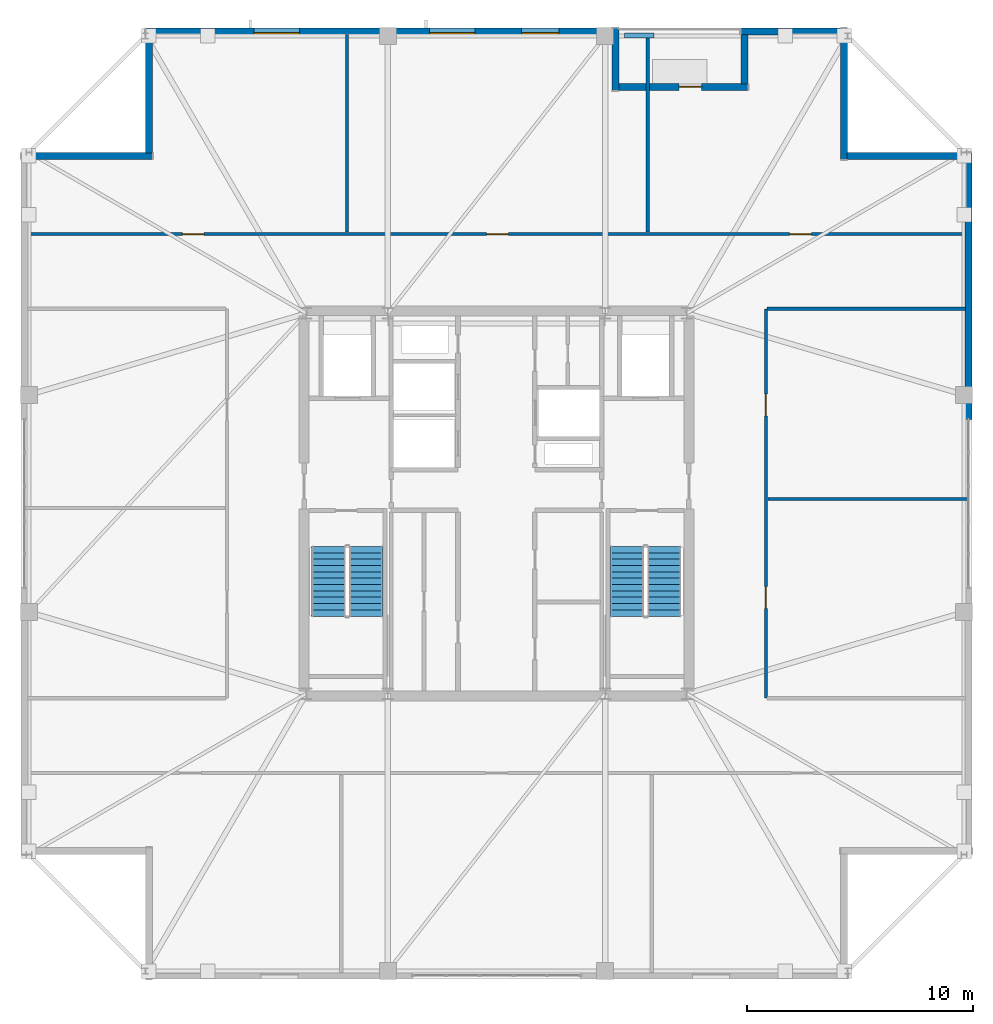
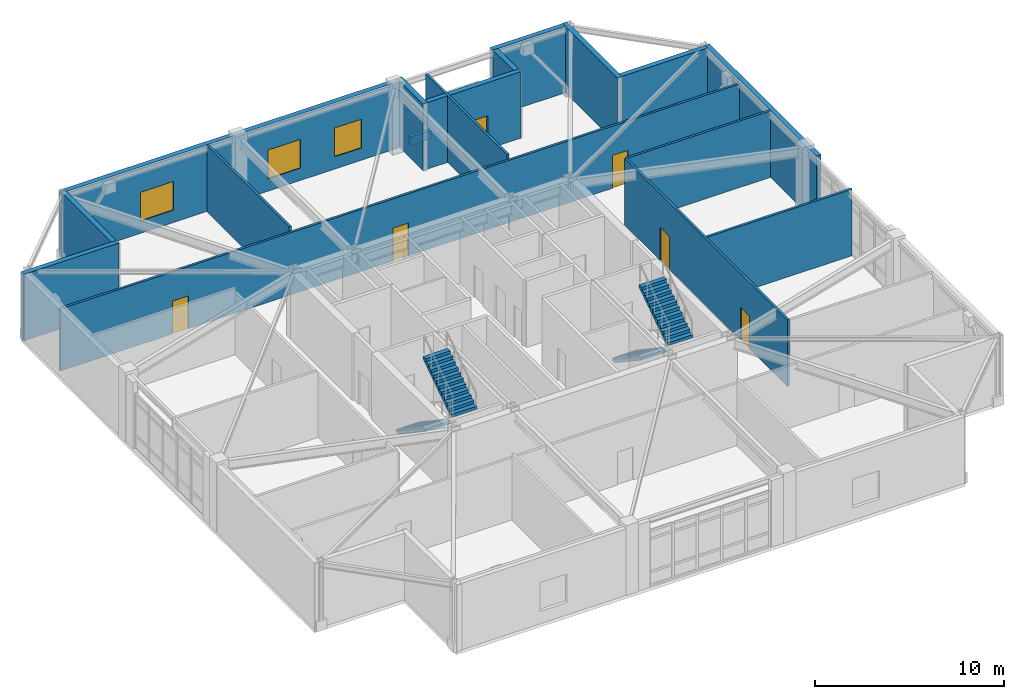
# One storey, part 13 of 16: 17 walls, 6 doors, 4 stair flights, 3 windows, 9 openings, 2 elements without a shape of their own.
"""IFC4 building model written with IfcOpenShell, lengths in metres."""

from ifc_helpers import new_model, si_unit, direction, frame, frame_2d, origin, place, context, subcontext, project, spatial, polyline, rectangle, outline, extrude, material, layer, layer_set, type_object, element, fill, aggregate, save


model = new_model("IFC4")

# Units and contexts
model_context = context("Model", 3, precision=1e-05, world=origin(), true_north=direction((0.0, 1.0)))
body_context = subcontext(model_context, "Body", "Model", "MODEL_VIEW")
ifc_project = project(units=[si_unit("LENGTHUNIT", "METRE"), si_unit("AREAUNIT", "SQUARE_METRE"), si_unit("VOLUMEUNIT", "CUBIC_METRE"), si_unit("PLANEANGLEUNIT", "RADIAN"), si_unit("MASSUNIT", "GRAM", prefix="KILO")], contexts=[model_context])

# Site, building, storey
site_placement = place(None, origin())
site = spatial("IfcSite", under=ifc_project, at=site_placement, CompositionType="ELEMENT")
building_placement = place(site_placement, origin())
building = spatial("IfcBuilding", under=site, at=building_placement, Name="Cairnveth Concourse Tower", CompositionType="ELEMENT")
storey_placement = place(building_placement, frame((0.0, 0.0, 315.5)))
storey = spatial("IfcBuildingStorey", under=building, at=storey_placement, Name="L87", CompositionType="ELEMENT", Elevation=315.5)

# Wall, openings, doors
ifc_material_1 = material(Name="Gypsum Plasterboard Partition", Category="gypsum")
ifc_layer_1 = layer(ifc_material_1, 0.139892578125)
ifc_layer_set_1 = layer_set([ifc_layer_1], Name="Gypsum Plasterboard Partition")
wall_type_1 = type_object("IfcWallType", Name="GYPSUM STUD PARTITION 140", PredefinedType="PARTITIONING", material=ifc_layer_set_1)
wall_1_placement = place(storey_placement, frame((31.284912109375, 50.89990234375, 0.0), z_axis=(0.0, 0.0, 1.0), x_axis=(1.0, 0.0, 0.0)))
wall_1 = element("IfcWall", 1, at=wall_1_placement, inside=storey, type_object=wall_type_1, Name="Interior Wall IW-L87-037", PredefinedType="PARTITIONING", context=body_context, shape_type="SweptSolid", body=[
    extrude(rectangle(XDim=41.43017578125, YDim=0.139892578125, at=frame_2d((20.715087890625, 0.0))), origin(), (0.0, 0.0, 1.0), 4.009033203125),
])
opening_1_placement = place(wall_1_placement, frame((6.844970703125, 0.0, 0.0)))
opening_1 = element("IfcOpeningElement", 2, at=opening_1_placement, cuts=wall_1, Name="Opening ID11", PredefinedType="OPENING", context=body_context, shape_type="SweptSolid", body=[
    extrude(rectangle(XDim=0.9599609375, YDim=2.1201171875, at=frame_2d((0.47998046875, 1.06005859375))), frame((0.0, 0.079833984375, 0.0), z_axis=(0.0, -1.0, 0.0), x_axis=(1.0, 0.0, 0.0)), (0.0, 0.0, 1.0), 0.159912109375),
])
opening_2_placement = place(wall_1_placement, frame((20.27490234375, 0.0, 0.0)))
opening_2 = element("IfcOpeningElement", 3, at=opening_2_placement, cuts=wall_1, Name="Opening ID11", PredefinedType="OPENING", context=body_context, shape_type="SweptSolid", body=[
    extrude(rectangle(XDim=0.9599609375, YDim=2.1201171875, at=frame_2d((0.47998046875, 1.06005859375))), frame((0.0, 0.079833984375, 0.0), z_axis=(0.0, -1.0, 0.0), x_axis=(1.0, 0.0, 0.0)), (0.0, 0.0, 1.0), 0.159912109375),
])
opening_3_placement = place(wall_1_placement, frame((33.6650390625, 0.0, 0.0)))
opening_3 = element("IfcOpeningElement", 4, at=opening_3_placement, cuts=wall_1, Name="Opening ID11", PredefinedType="OPENING", context=body_context, shape_type="SweptSolid", body=[
    extrude(rectangle(XDim=0.9599609375, YDim=2.1201171875, at=frame_2d((0.47998046875, 1.06005859375))), frame((0.0, 0.079833984375, 0.0), z_axis=(0.0, -1.0, 0.0), x_axis=(1.0, 0.0, 0.0)), (0.0, 0.0, 1.0), 0.159912109375),
])
ifc_material_2 = material(Name="Solid Core Hardwood Timber Leaf", Category="wood")
door_type_1 = type_object("IfcDoorType", Name="INTERIOR SINGLE DOOR 960X2150", OperationType="NOTDEFINED", PredefinedType="DOOR", material=ifc_material_2)
door_1_placement = place(opening_1_placement, origin())
door_1 = element("IfcDoor", 5, at=door_1_placement, inside=storey, type_object=door_type_1, Name="Office Door L87-N1", OperationType="SINGLE_SWING_LEFT", OverallHeight=2.1201171875, OverallWidth=0.9599609375, PredefinedType="DOOR", context=body_context, shape_type="SweptSolid", body=[
    extrude(rectangle(XDim=0.9599609375, YDim=2.1201171875, at=frame_2d((0.47998046875, 1.06005859375))), frame((0.0, 0.02490234375, 0.0), z_axis=(0.0, -1.0, 0.0), x_axis=(1.0, 0.0, 0.0)), (0.0, 0.0, 1.0), 0.050048828125),
])
fill(opening_1, door_1)
door_2_placement = place(opening_2_placement, origin())
door_2 = element("IfcDoor", 6, at=door_2_placement, inside=storey, type_object=door_type_1, Name="Office Door L87-N2", OperationType="SINGLE_SWING_RIGHT", OverallHeight=2.1201171875, OverallWidth=0.9599609375, PredefinedType="DOOR", context=body_context, shape_type="SweptSolid", body=[
    extrude(rectangle(XDim=0.9599609375, YDim=2.1201171875, at=frame_2d((0.47998046875, 1.06005859375))), frame((0.0, 0.02490234375, 0.0), z_axis=(0.0, -1.0, 0.0), x_axis=(1.0, 0.0, 0.0)), (0.0, 0.0, 1.0), 0.050048828125),
])
fill(opening_2, door_2)
door_3_placement = place(opening_3_placement, origin())
door_3 = element("IfcDoor", 7, at=door_3_placement, inside=storey, type_object=door_type_1, Name="Office Door L87-N3", OperationType="SINGLE_SWING_LEFT", OverallHeight=2.1201171875, OverallWidth=0.9599609375, PredefinedType="DOOR", context=body_context, shape_type="SweptSolid", body=[
    extrude(rectangle(XDim=0.9599609375, YDim=2.1201171875, at=frame_2d((0.47998046875, 1.06005859375))), frame((0.0, 0.02490234375, 0.0), z_axis=(0.0, -1.0, 0.0), x_axis=(1.0, 0.0, 0.0)), (0.0, 0.0, 1.0), 0.050048828125),
])
fill(opening_3, door_3)

wall_2_placement = place(storey_placement, frame((63.89990234375, 30.39990234375, 0.0), z_axis=(0.0, 0.0, 1.0), x_axis=(0.0, 1.0, 0.0)))
wall_2 = element("IfcWall", 8, at=wall_2_placement, inside=storey, type_object=wall_type_1, Name="Interior Wall IW-L87-039", PredefinedType="PARTITIONING", context=body_context, shape_type="SweptSolid", body=[
    extrude(rectangle(XDim=17.2001953125, YDim=0.139892578125, at=frame_2d((8.60009765625, 0.0))), origin(), (0.0, 0.0, 1.0), 4.2900390625),
])
opening_4_placement = place(wall_2_placement, frame((3.967529296875, 0.0, 0.0)))
opening_4 = element("IfcOpeningElement", 9, at=opening_4_placement, cuts=wall_2, Name="Opening ID11", PredefinedType="OPENING", context=body_context, shape_type="SweptSolid", body=[
    extrude(rectangle(XDim=0.9599609375, YDim=2.1201171875, at=frame_2d((0.47998046875, 1.06005859375))), frame((0.0, 0.079833984375, 0.0), z_axis=(0.0, -1.0, 0.0), x_axis=(1.0, 0.0, 0.0)), (0.0, 0.0, 1.0), 0.159912109375),
])
opening_5_placement = place(wall_2_placement, frame((12.467529296875, 0.0, 0.0)))
opening_5 = element("IfcOpeningElement", 10, at=opening_5_placement, cuts=wall_2, Name="Opening ID11", PredefinedType="OPENING", context=body_context, shape_type="SweptSolid", body=[
    extrude(rectangle(XDim=0.9599609375, YDim=2.1201171875, at=frame_2d((0.47998046875, 1.06005859375))), frame((0.0, 0.079833984375, 0.0), z_axis=(0.0, -1.0, 0.0), x_axis=(1.0, 0.0, 0.0)), (0.0, 0.0, 1.0), 0.159912109375),
])
door_4_placement = place(opening_4_placement, origin())
door_4 = element("IfcDoor", 11, at=door_4_placement, inside=storey, type_object=door_type_1, Name="Office Door L87-E1", OperationType="SINGLE_SWING_RIGHT", OverallHeight=2.1201171875, OverallWidth=0.9599609375, PredefinedType="DOOR", context=body_context, shape_type="SweptSolid", body=[
    extrude(rectangle(XDim=0.9599609375, YDim=2.1201171875, at=frame_2d((0.47998046875, 1.06005859375))), frame((0.0, 0.02490234375, 0.0), z_axis=(0.0, -1.0, 0.0), x_axis=(1.0, 0.0, 0.0)), (0.0, 0.0, 1.0), 0.050048828125),
])
fill(opening_4, door_4)
door_5_placement = place(opening_5_placement, origin())
door_5 = element("IfcDoor", 12, at=door_5_placement, inside=storey, type_object=door_type_1, Name="Office Door L87-E2", OperationType="SINGLE_SWING_LEFT", OverallHeight=2.1201171875, OverallWidth=0.9599609375, PredefinedType="DOOR", context=body_context, shape_type="SweptSolid", body=[
    extrude(rectangle(XDim=0.9599609375, YDim=2.1201171875, at=frame_2d((0.47998046875, 1.06005859375))), frame((0.0, 0.02490234375, 0.0), z_axis=(0.0, -1.0, 0.0), x_axis=(1.0, 0.0, 0.0)), (0.0, 0.0, 1.0), 0.050048828125),
])
fill(opening_5, door_5)

# Walls
wall_3_placement = place(storey_placement, frame((63.955078125, 47.60009765625, 0.0), z_axis=(0.0, 0.0, 1.0), x_axis=(1.0, 0.0, 0.0)))
element("IfcWall", 13, at=wall_3_placement, inside=storey, type_object=wall_type_1, Name="Interior Wall IW-L87-043", PredefinedType="PARTITIONING", context=body_context, shape_type="SweptSolid", body=[
    extrude(rectangle(XDim=8.760009765625, YDim=0.139892578125, at=frame_2d((4.3798828125, 0.0))), origin(), (0.0, 0.0, 1.0), 4.2900390625),
])
wall_4_placement = place(storey_placement, frame((45.39990234375, 51.0, 0.0), z_axis=(0.0, 0.0, 1.0), x_axis=(0.0, 1.0, 0.0)))
element("IfcWall", 14, at=wall_4_placement, inside=storey, type_object=wall_type_1, Name="Interior Wall IW-L87-046", PredefinedType="PARTITIONING", context=body_context, shape_type="SweptSolid", body=[
    extrude(rectangle(XDim=8.715087890625, YDim=0.139892578125, at=frame_2d((4.357421875, 0.0))), origin(), (0.0, 0.0, 1.0), 4.2900390625),
])
wall_5_placement = place(storey_placement, frame((58.679931640625, 51.0, 0.0), z_axis=(0.0, 0.0, 1.0), x_axis=(0.0, 1.0, 0.0)))
element("IfcWall", 15, at=wall_5_placement, inside=storey, type_object=wall_type_1, Name="Interior Wall IW-L87-047", PredefinedType="PARTITIONING", context=body_context, shape_type="SweptSolid", body=[
    extrude(rectangle(XDim=8.5849609375, YDim=0.139892578125, at=frame_2d((4.29248046875, 0.0))), origin(), (0.0, 0.0, 1.0), 4.2900390625),
])
wall_6_placement = place(storey_placement, frame((64.0, 39.195068359375, 0.0), z_axis=(0.0, 0.0, 1.0), x_axis=(1.0, 0.0, 0.0)))
element("IfcWall", 16, at=wall_6_placement, inside=storey, type_object=wall_type_1, Name="Interior Wall IW-L87-049", PredefinedType="PARTITIONING", context=body_context, shape_type="SweptSolid", body=[
    extrude(rectangle(XDim=8.830078125, YDim=0.139892578125, at=frame_2d((4.4150390625, 0.0))), origin(), (0.0, 0.0, 1.0), 4.2900390625),
])
ifc_material_3 = material(Name="Dressed Melbourne Bluestone Cladding", Category="masonry")
ifc_layer_2 = layer(ifc_material_3, 0.219970703125)
ifc_layer_set_2 = layer_set([ifc_layer_2], Name="Dressed Melbourne Bluestone Cladding")
wall_type_2 = type_object("IfcWallType", Name="TERRACE PLANTER CURB WALL 220", PredefinedType="PARAPET", material=ifc_layer_set_2)
wall_7_placement = place(storey_placement, frame((57.64990234375, 59.679931640625, 0.0), z_axis=(0.0, 0.0, 1.0), x_axis=(1.0, 0.0, 0.0)))
element("IfcWall", 17, at=wall_7_placement, inside=storey, type_object=wall_type_2, Name="Exterior Wall PLNT-L87-TERR", PredefinedType="PARAPET", context=body_context, shape_type="SweptSolid", body=[
    extrude(rectangle(XDim=1.300048828125, YDim=0.219970703125, at=frame_2d((0.64990234375, 0.0))), origin(), (0.0, 0.0, 1.0), 0.550048828125),
])
ifc_material_4 = material(Name="Hawthorn Red-Ochre Fired Clay Brick Masonry", Category="masonry")
ifc_layer_3 = layer(ifc_material_4, 0.300048828125)
ifc_layer_set_3 = layer_set([ifc_layer_3], Name="Hawthorn Red-Ochre Fired Clay Brick Masonry")
wall_type_3 = type_object("IfcWallType", Name="ZONE 4 BRICK PIER SPANDREL WALL 300", PredefinedType="SOLIDWALL", material=ifc_layer_set_3)
wall_8_placement = place(storey_placement, frame((62.800048828125, 59.85009765625, 0.0), z_axis=(0.0, 0.0, 1.0), x_axis=(1.0, 0.0, 0.0)))
element("IfcWall", 18, at=wall_8_placement, inside=storey, type_object=wall_type_3, Name="Exterior Wall EW-L87-S00", PredefinedType="SOLIDWALL", context=body_context, shape_type="SweptSolid", body=[
    extrude(rectangle(XDim=4.421875, YDim=0.300048828125, at=frame_2d((2.2109375, 0.0))), origin(), (0.0, 0.0, 1.0), 4.2900390625),
])
wall_9_placement = place(storey_placement, frame((67.35009765625, 60.0, 0.0), z_axis=(0.0, 0.0, 1.0), x_axis=(0.0, -1.0, 0.0)))
element("IfcWall", 19, at=wall_9_placement, inside=storey, type_object=wall_type_3, Name="Exterior Wall EW-L87-S01", PredefinedType="SOLIDWALL", context=body_context, shape_type="SweptSolid", body=[
    extrude(rectangle(XDim=5.800048828125, YDim=0.300048828125, at=frame_2d((2.89990234375, 0.0))), origin(), (0.0, 0.0, 1.0), 4.2900390625),
])
wall_10_placement = place(storey_placement, frame((67.47802734375, 54.35009765625, 0.0), z_axis=(0.0, 0.0, 1.0), x_axis=(1.0, 0.0, 0.0)))
element("IfcWall", 20, at=wall_10_placement, inside=storey, type_object=wall_type_3, Name="Exterior Wall EW-L87-S02", PredefinedType="SOLIDWALL", context=body_context, shape_type="SweptSolid", body=[
    extrude(rectangle(XDim=5.243896484375, YDim=0.300048828125, at=frame_2d((2.6220703125, 0.0))), origin(), (0.0, 0.0, 1.0), 4.2900390625),
])
wall_11_placement = place(storey_placement, frame((72.85009765625, 54.5, 0.0), z_axis=(0.0, 0.0, 1.0), x_axis=(0.0, -1.0, 0.0)))
element("IfcWall", 21, at=wall_11_placement, inside=storey, type_object=wall_type_3, Name="Exterior Wall EW-L87-S3A", PredefinedType="SOLIDWALL", context=body_context, shape_type="SweptSolid", body=[
    extrude(rectangle(XDim=11.800048828125, YDim=0.300048828125, at=frame_2d((5.89990234375, 0.0))), origin(), (0.0, 0.0, 1.0), 4.2900390625),
])
wall_12_placement = place(storey_placement, frame((31.0, 54.35009765625, 0.0), z_axis=(0.0, 0.0, 1.0), x_axis=(1.0, 0.0, 0.0)))
element("IfcWall", 22, at=wall_12_placement, inside=storey, type_object=wall_type_3, Name="Exterior Wall EW-L87-S10", PredefinedType="SOLIDWALL", context=body_context, shape_type="SweptSolid", body=[
    extrude(rectangle(XDim=5.800048828125, YDim=0.300048828125, at=frame_2d((2.89990234375, 0.0))), origin(), (0.0, 0.0, 1.0), 4.2900390625),
])
wall_13_placement = place(storey_placement, frame((36.64990234375, 54.47802734375, 0.0), z_axis=(0.0, 0.0, 1.0), x_axis=(0.0, 1.0, 0.0)))
element("IfcWall", 23, at=wall_13_placement, inside=storey, type_object=wall_type_3, Name="Exterior Wall EW-L87-S11", PredefinedType="SOLIDWALL", context=body_context, shape_type="SweptSolid", body=[
    extrude(rectangle(XDim=5.243896484375, YDim=0.300048828125, at=frame_2d((2.6220703125, 0.0))), origin(), (0.0, 0.0, 1.0), 4.2900390625),
])

# Wall, openings, windows
wall_14_placement = place(storey_placement, frame((36.5, 59.85009765625, 0.0), z_axis=(0.0, 0.0, 1.0), x_axis=(1.0, 0.0, 0.0)))
wall_14 = element("IfcWall", 24, at=wall_14_placement, inside=storey, type_object=wall_type_3, Name="Exterior Wall EW-L87-S12", PredefinedType="SOLIDWALL", context=body_context, shape_type="SweptSolid", body=[
    extrude(rectangle(XDim=20.6220703125, YDim=0.300048828125, at=frame_2d((10.31103515625, 0.0))), origin(), (0.0, 0.0, 1.0), 4.2900390625),
])
opening_6_placement = place(wall_14_placement, frame((4.790283203125, 0.0, 0.800048828125)))
opening_6 = element("IfcOpeningElement", 25, at=opening_6_placement, cuts=wall_14, Name="Opening W09", PredefinedType="OPENING", context=body_context, shape_type="SweptSolid", body=[
    extrude(rectangle(XDim=2.0, YDim=1.85009765625, at=frame_2d((1.0, 0.925048828125))), frame((0.0, 0.159912109375, 0.0), z_axis=(0.0, -1.0, 0.0), x_axis=(1.0, 0.0, 0.0)), (0.0, 0.0, 1.0), 0.320068359375),
])
opening_7_placement = place(wall_14_placement, frame((12.55126953125, 0.0, 0.800048828125)))
opening_7 = element("IfcOpeningElement", 26, at=opening_7_placement, cuts=wall_14, Name="Opening W09", PredefinedType="OPENING", context=body_context, shape_type="SweptSolid", body=[
    extrude(rectangle(XDim=2.0, YDim=1.85009765625, at=frame_2d((1.0, 0.925048828125))), frame((0.0, 0.159912109375, 0.0), z_axis=(0.0, -1.0, 0.0), x_axis=(1.0, 0.0, 0.0)), (0.0, 0.0, 1.0), 0.320068359375),
])
opening_8_placement = place(wall_14_placement, frame((16.606689453125, 0.0, 0.800048828125)))
opening_8 = element("IfcOpeningElement", 27, at=opening_8_placement, cuts=wall_14, Name="Opening W04", PredefinedType="OPENING", context=body_context, shape_type="SweptSolid", body=[
    extrude(rectangle(XDim=1.64990234375, YDim=1.85009765625, at=frame_2d((0.824951171875, 0.925048828125))), frame((0.0, 0.159912109375, 0.0), z_axis=(0.0, -1.0, 0.0), x_axis=(1.0, 0.0, 0.0)), (0.0, 0.0, 1.0), 0.320068359375),
])
ifc_material_5 = material(Name="Double Glazed Low-E Clear Glass", Category="glass")
window_type_1 = type_object("IfcWindowType", Name="DEEP-SET GOTHIC LANCET WINDOW 1650X1850", PartitioningType="DOUBLE_PANEL_VERTICAL", PredefinedType="WINDOW", material=ifc_material_5)
window_1_placement = place(opening_8_placement, origin())
window_1 = element("IfcWindow", 28, at=window_1_placement, inside=storey, type_object=window_type_1, Name="Gothic Lancet Window L87-12-4", OverallHeight=1.85009765625, OverallWidth=1.64990234375, PartitioningType="SINGLE_PANEL", PredefinedType="WINDOW", context=body_context, shape_type="SweptSolid", body=[
    extrude(rectangle(XDim=1.64990234375, YDim=1.85009765625, at=frame_2d((0.824951171875, 0.925048828125))), frame((0.0, -0.050048828125, 0.0), z_axis=(0.0, -1.0, 0.0), x_axis=(1.0, 0.0, 0.0)), (0.0, 0.0, 1.0), 0.06005859375),
])
fill(opening_8, window_1)
window_type_2 = type_object("IfcWindowType", Name="DEEP-SET PENTHOUSE LANCET WINDOW 2000X1850", PartitioningType="DOUBLE_PANEL_VERTICAL", PredefinedType="WINDOW", material=ifc_material_5)
window_2_placement = place(opening_6_placement, origin())
window_2 = element("IfcWindow", 29, at=window_2_placement, inside=storey, type_object=window_type_2, Name="Gothic Lancet Window L87-12-1", OverallHeight=1.85009765625, OverallWidth=2.0, PartitioningType="SINGLE_PANEL", PredefinedType="WINDOW", context=body_context, shape_type="SweptSolid", body=[
    extrude(rectangle(XDim=2.0, YDim=1.85009765625, at=frame_2d((1.0, 0.925048828125))), frame((0.0, -0.050048828125, 0.0), z_axis=(0.0, -1.0, 0.0), x_axis=(1.0, 0.0, 0.0)), (0.0, 0.0, 1.0), 0.06005859375),
])
fill(opening_6, window_2)
window_3_placement = place(opening_7_placement, origin())
window_3 = element("IfcWindow", 30, at=window_3_placement, inside=storey, type_object=window_type_2, Name="Gothic Lancet Window L87-12-3", OverallHeight=1.85009765625, OverallWidth=2.0, PartitioningType="SINGLE_PANEL", PredefinedType="WINDOW", context=body_context, shape_type="SweptSolid", body=[
    extrude(rectangle(XDim=2.0, YDim=1.85009765625, at=frame_2d((1.0, 0.925048828125))), frame((0.0, -0.050048828125, 0.0), z_axis=(0.0, -1.0, 0.0), x_axis=(1.0, 0.0, 0.0)), (0.0, 0.0, 1.0), 0.06005859375),
])
fill(opening_7, window_3)

# Wall
wall_15_placement = place(storey_placement, frame((57.25, 60.0, 0.0), z_axis=(0.0, 0.0, 1.0), x_axis=(0.0, -1.0, 0.0)))
element("IfcWall", 31, at=wall_15_placement, inside=storey, type_object=wall_type_3, Name="Exterior Wall EW-L87-S13", PredefinedType="SOLIDWALL", context=body_context, shape_type="SweptSolid", body=[
    extrude(rectangle(XDim=2.75, YDim=0.300048828125, at=frame_2d((1.375, 0.0))), origin(), (0.0, 0.0, 1.0), 4.2900390625),
])

# Wall, opening, door
wall_16_placement = place(storey_placement, frame((57.3779296875, 57.39990234375, 0.0), z_axis=(0.0, 0.0, 1.0), x_axis=(1.0, 0.0, 0.0)))
wall_16 = element("IfcWall", 32, at=wall_16_placement, inside=storey, type_object=wall_type_3, Name="Exterior Wall EW-L87-S14", PredefinedType="SOLIDWALL", context=body_context, shape_type="SweptSolid", body=[
    extrude(rectangle(XDim=5.72216796875, YDim=0.300048828125, at=frame_2d((2.861083984375, 0.0))), origin(), (0.0, 0.0, 1.0), 4.2900390625),
])
opening_9_placement = place(wall_16_placement, frame((2.68701171875, 0.0, 0.0)))
opening_9 = element("IfcOpeningElement", 33, at=opening_9_placement, cuts=wall_16, Name="Opening ED4", PredefinedType="OPENING", context=body_context, shape_type="SweptSolid", body=[
    extrude(rectangle(XDim=1.0, YDim=2.14990234375, at=frame_2d((0.5, 1.074951171875))), frame((0.0, 0.159912109375, 0.0), z_axis=(0.0, -1.0, 0.0), x_axis=(1.0, 0.0, 0.0)), (0.0, 0.0, 1.0), 0.320068359375),
])
ifc_material_6 = material(Name="Architectural Bronze Anodised Aluminium 6063-T6", Category="aluminium")
door_type_2 = type_object("IfcDoorType", Name="TERRACE GLAZED DOOR 1000X2150", OperationType="NOTDEFINED", PredefinedType="DOOR", material=ifc_material_6)
door_6_placement = place(opening_9_placement, origin())
door_6 = element("IfcDoor", 34, at=door_6_placement, inside=storey, type_object=door_type_2, Name="Spiral Terrace Door L87", OperationType="SINGLE_SWING_RIGHT", OverallHeight=2.14990234375, OverallWidth=1.0, PredefinedType="DOOR", context=body_context, shape_type="SweptSolid", body=[
    extrude(rectangle(XDim=1.0, YDim=2.14990234375, at=frame_2d((0.5, 1.074951171875))), frame((0.0, 0.02490234375, 0.0), z_axis=(0.0, -1.0, 0.0), x_axis=(1.0, 0.0, 0.0)), (0.0, 0.0, 1.0), 0.050048828125),
])
fill(opening_9, door_6)

# Wall
wall_17_placement = place(storey_placement, frame((62.949951171875, 57.528076171875, 0.0), z_axis=(0.0, 0.0, 1.0), x_axis=(0.0, 1.0, 0.0)))
element("IfcWall", 35, at=wall_17_placement, inside=storey, type_object=wall_type_3, Name="Exterior Wall EW-L87-S15", PredefinedType="SOLIDWALL", context=body_context, shape_type="SweptSolid", body=[
    extrude(rectangle(XDim=2.19384765625, YDim=0.300048828125, at=frame_2d((1.096923828125, 0.0))), origin(), (0.0, 0.0, 1.0), 4.2900390625),
])

# Stair, stair flights
ifc_material_7 = material(Name="Precast concrete N50 (50 MPa)", Category="concrete")
stair_type = type_object("IfcStairType", Name="CORE DOG-LEG FIRE STAIR 1500", PredefinedType="HALF_TURN_STAIR", material=ifc_material_7)
stair_1_placement = place(storey_placement, origin())
stair_1 = element("IfcStair", 36, at=stair_1_placement, inside=storey, type_object=stair_type, Name="L87 Fire-Isolated Stair ST-1", PredefinedType="HALF_TURN_STAIR")
stair_flight_type = type_object("IfcStairFlightType", Name="PRECAST CONCRETE STAIR FLIGHT 1500", PredefinedType="STRAIGHT", material=ifc_material_7)
stair_flight_1_placement = place(storey_placement, frame((44.590087890625, 37.10009765625, 0.0), z_axis=(0.0, 0.0, 1.0), x_axis=(0.0, -1.0, 0.0)))
stair_flight_1 = element("IfcStairFlight", 37, at=stair_flight_1_placement, type_object=stair_flight_type, Name="ST-1 flight 1", NumberOfRisers=12, NumberOfTreads=11, PredefinedType="STRAIGHT", RiserHeight=0.1875, TreadLength=0.28, context=body_context, shape_type="SweptSolid", body=[
    extrude(outline(polyline([(0.0, 0.0), (0.0, 0.1875), (0.280029296875, 0.1875), (0.280029296875, 0.375), (0.56005859375, 0.375), (0.56005859375, 0.5625), (0.840087890625, 0.5625), (0.840087890625, 0.75), (1.1201171875, 0.75), (1.1201171875, 0.9375), (1.39990234375, 0.9375), (1.39990234375, 1.125), (1.679931640625, 1.125), (1.679931640625, 1.3125), (1.9599609375, 1.3125), (1.9599609375, 1.5), (2.239990234375, 1.5), (2.239990234375, 1.6875), (2.52001953125, 1.6875), (2.52001953125, 1.875), (2.800048828125, 1.875), (2.800048828125, 2.0625), (3.080078125, 2.0625), (3.080078125, 2.25), (3.080078125, 1.882080078125), (0.26953125, 0.0), (0.0, 0.0)])), frame((0.0, 0.75, 0.0), z_axis=(0.0, -1.0, 0.0), x_axis=(1.0, 0.0, 0.0)), (0.0, 0.0, 1.0), 1.5),
])
stair_flight_2_placement = place(storey_placement, frame((46.22998046875, 34.02001953125, 2.25), z_axis=(0.0, 0.0, 1.0), x_axis=(0.0, 1.0, 0.0)))
stair_flight_2 = element("IfcStairFlight", 38, at=stair_flight_2_placement, type_object=stair_flight_type, Name="ST-1 flight 2", NumberOfRisers=12, NumberOfTreads=11, PredefinedType="STRAIGHT", RiserHeight=0.1875, TreadLength=0.28, context=body_context, shape_type="SweptSolid", body=[
    extrude(outline(polyline([(0.0, 0.0), (0.0, 0.1875), (0.280029296875, 0.1875), (0.280029296875, 0.375), (0.56005859375, 0.375), (0.56005859375, 0.5625), (0.840087890625, 0.5625), (0.840087890625, 0.75), (1.1201171875, 0.75), (1.1201171875, 0.9375), (1.39990234375, 0.9375), (1.39990234375, 1.125), (1.679931640625, 1.125), (1.679931640625, 1.3125), (1.9599609375, 1.3125), (1.9599609375, 1.5), (2.239990234375, 1.5), (2.239990234375, 1.6875), (2.52001953125, 1.6875), (2.52001953125, 1.875), (2.800048828125, 1.875), (2.800048828125, 2.0625), (3.080078125, 2.0625), (3.080078125, 2.25), (3.080078125, 1.882080078125), (0.26953125, 0.0), (0.0, 0.0)])), frame((0.0, 0.75, 0.0), z_axis=(0.0, -1.0, 0.0), x_axis=(1.0, 0.0, 0.0)), (0.0, 0.0, 1.0), 1.5),
])
aggregate(stair_1, [stair_flight_1, stair_flight_2])

stair_2_placement = place(storey_placement, origin())
stair_2 = element("IfcStair", 39, at=stair_2_placement, inside=storey, type_object=stair_type, Name="L87 Fire-Isolated Stair ST-2", PredefinedType="HALF_TURN_STAIR")
stair_flight_3_placement = place(storey_placement, frame((57.77001953125, 37.10009765625, 0.0), z_axis=(0.0, 0.0, 1.0), x_axis=(0.0, -1.0, 0.0)))
stair_flight_3 = element("IfcStairFlight", 40, at=stair_flight_3_placement, type_object=stair_flight_type, Name="ST-2 flight 1", NumberOfRisers=12, NumberOfTreads=11, PredefinedType="STRAIGHT", RiserHeight=0.1875, TreadLength=0.28, context=body_context, shape_type="SweptSolid", body=[
    extrude(outline(polyline([(0.0, 0.0), (0.0, 0.1875), (0.280029296875, 0.1875), (0.280029296875, 0.375), (0.56005859375, 0.375), (0.56005859375, 0.5625), (0.840087890625, 0.5625), (0.840087890625, 0.75), (1.1201171875, 0.75), (1.1201171875, 0.9375), (1.39990234375, 0.9375), (1.39990234375, 1.125), (1.679931640625, 1.125), (1.679931640625, 1.3125), (1.9599609375, 1.3125), (1.9599609375, 1.5), (2.239990234375, 1.5), (2.239990234375, 1.6875), (2.52001953125, 1.6875), (2.52001953125, 1.875), (2.800048828125, 1.875), (2.800048828125, 2.0625), (3.080078125, 2.0625), (3.080078125, 2.25), (3.080078125, 1.882080078125), (0.26953125, 0.0), (0.0, 0.0)])), frame((0.0, 0.75, 0.0), z_axis=(0.0, -1.0, 0.0), x_axis=(1.0, 0.0, 0.0)), (0.0, 0.0, 1.0), 1.5),
])
stair_flight_4_placement = place(storey_placement, frame((59.409912109375, 34.02001953125, 2.25), z_axis=(0.0, 0.0, 1.0), x_axis=(0.0, 1.0, 0.0)))
stair_flight_4 = element("IfcStairFlight", 41, at=stair_flight_4_placement, type_object=stair_flight_type, Name="ST-2 flight 2", NumberOfRisers=12, NumberOfTreads=11, PredefinedType="STRAIGHT", RiserHeight=0.1875, TreadLength=0.28, context=body_context, shape_type="SweptSolid", body=[
    extrude(outline(polyline([(0.0, 0.0), (0.0, 0.1875), (0.280029296875, 0.1875), (0.280029296875, 0.375), (0.56005859375, 0.375), (0.56005859375, 0.5625), (0.840087890625, 0.5625), (0.840087890625, 0.75), (1.1201171875, 0.75), (1.1201171875, 0.9375), (1.39990234375, 0.9375), (1.39990234375, 1.125), (1.679931640625, 1.125), (1.679931640625, 1.3125), (1.9599609375, 1.3125), (1.9599609375, 1.5), (2.239990234375, 1.5), (2.239990234375, 1.6875), (2.52001953125, 1.6875), (2.52001953125, 1.875), (2.800048828125, 1.875), (2.800048828125, 2.0625), (3.080078125, 2.0625), (3.080078125, 2.25), (3.080078125, 1.882080078125), (0.26953125, 0.0), (0.0, 0.0)])), frame((0.0, 0.75, 0.0), z_axis=(0.0, -1.0, 0.0), x_axis=(1.0, 0.0, 0.0)), (0.0, 0.0, 1.0), 1.5),
])
aggregate(stair_2, [stair_flight_3, stair_flight_4])

save(model, "model.ifc")
